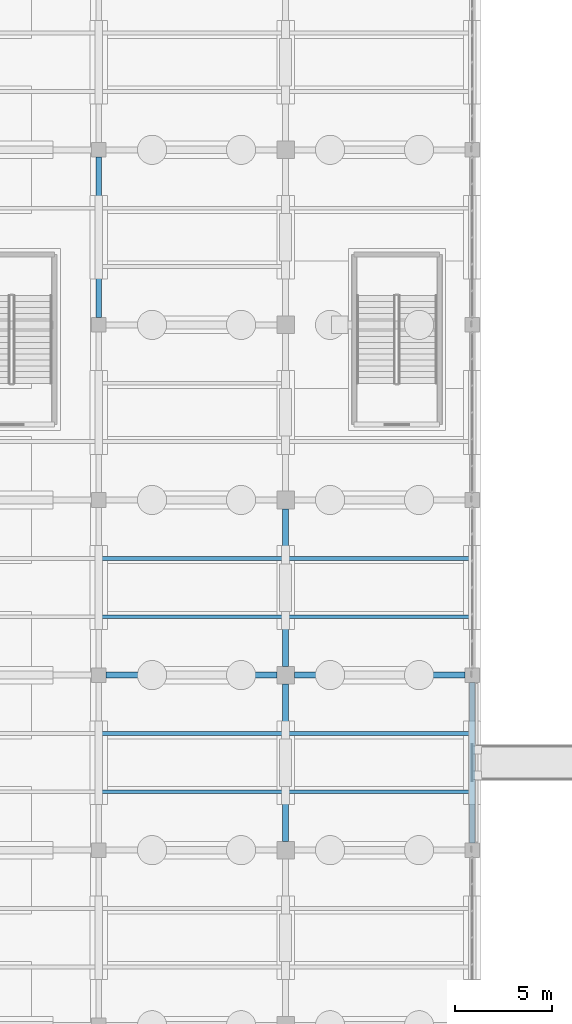
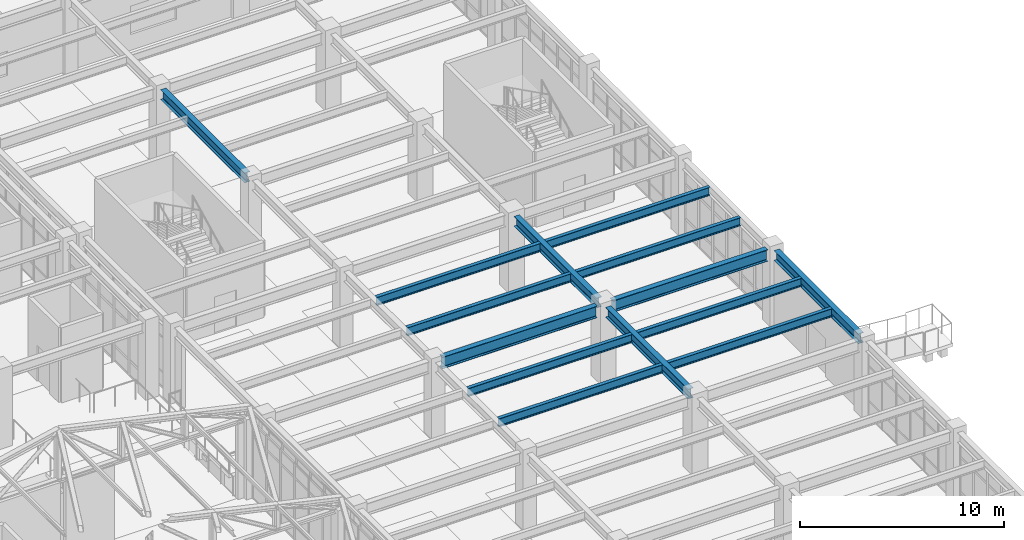
# One storey, part 71 of 139: 14 beams.
"""IFC4 building model written with IfcOpenShell, lengths in metres."""

from ifc_helpers import new_model, si_unit, direction, frame, origin, origin_2d, place, context, subcontext, project, spatial, i_section, extrude, material, material_profile, profile_set, type_object, element, save


model = new_model("IFC4")

# Units and contexts
model_context = context("Model", 3, precision=1e-05, world=origin(), true_north=direction((0.0, 1.0)))
body_context = subcontext(model_context, "Body", "Model", "MODEL_VIEW")
ifc_project = project(units=[si_unit("LENGTHUNIT", "METRE"), si_unit("AREAUNIT", "SQUARE_METRE"), si_unit("VOLUMEUNIT", "CUBIC_METRE"), si_unit("PLANEANGLEUNIT", "RADIAN"), si_unit("MASSUNIT", "GRAM", prefix="KILO")], contexts=[model_context])

# Site, building, storey
site_placement = place(None, origin())
site = spatial("IfcSite", under=ifc_project, at=site_placement, CompositionType="ELEMENT")
building_placement = place(site_placement, origin())
building = spatial("IfcBuilding", under=site, at=building_placement, Name="Canglan Escarpment Cableway Terminal", CompositionType="ELEMENT")
storey_placement = place(building_placement, frame((0.0, 0.0, 14.39990234375)))
storey = spatial("IfcBuildingStorey", under=building, at=storey_placement, Name="L03", CompositionType="ELEMENT", Elevation=14.39990234375)

# Beams
ifc_material_1 = material(Name="Steel Q355C", Category="steel")
ifc_material_profile_1 = material_profile(ifc_material_1, i_section(OverallWidth=0.302001953125, OverallDepth=0.593994140625, WebThickness=0.013916015625, FlangeThickness=0.02294921875, FilletRadius=0.028076171875, at=origin_2d()), Name="HM 594x302x14x23")
ifc_profile_set_1 = profile_set([ifc_material_profile_1], Name="Steel Q355C")
beam_type_1 = type_object("IfcBeamType", Name="BM-HM594", PredefinedType="BEAM", material=ifc_profile_set_1)
beam_1_placement = place(storey_placement, frame((147.199951171875, 97.375, 4.203125), z_axis=(0.0, 1.0, 0.0), x_axis=(-1.0, 0.0, 0.0)))
element("IfcBeam", 1, at=beam_1_placement, inside=storey, type_object=beam_type_1, Name="Primary transverse girder B-07", PredefinedType="BEAM", context=body_context, shape_type="SweptSolid", body=[
    extrude(i_section(OverallWidth=0.302001953125, OverallDepth=0.593994140625, WebThickness=0.013916015625, FlangeThickness=0.02294921875, FilletRadius=0.028076171875, at=origin_2d()), origin(), (0.0, 0.0, 1.0), 8.25),
])
for number, where, z_axis, x_axis, name in (
    (2, (156.800048828125, 70.449951171875, 4.203125), (0.0, 1.0, 0.0), (-1.0, 0.0, 0.0), "Primary transverse girder B-07"),
    (3, (156.800048828125, 79.449951171875, 4.203125), (0.0, 1.0, 0.0), (-1.0, 0.0, 0.0), "Primary transverse girder B-07"),
):
    element("IfcBeam", number, at=place(storey_placement, frame(where, z_axis=z_axis, x_axis=x_axis)), inside=storey, type_object=beam_type_1, Name=name, PredefinedType="BEAM", context=body_context, shape_type="SweptSolid", body=[
        extrude(i_section(OverallWidth=0.302001953125, OverallDepth=0.593994140625, WebThickness=0.013916015625, FlangeThickness=0.02294921875, FilletRadius=0.028076171875, at=origin_2d()), origin(), (0.0, 0.0, 1.0), 8.10009765625),
    ])
beam_2_placement = place(storey_placement, frame((166.39990234375, 70.375, 4.203125), z_axis=(0.0, 1.0, 0.0), x_axis=(-1.0, 0.0, 0.0)))
element("IfcBeam", 4, at=beam_2_placement, inside=storey, type_object=beam_type_1, Name="Primary transverse girder B-07", PredefinedType="BEAM", context=body_context, shape_type="SweptSolid", body=[
    extrude(i_section(OverallWidth=0.302001953125, OverallDepth=0.593994140625, WebThickness=0.013916015625, FlangeThickness=0.02294921875, FilletRadius=0.028076171875, at=origin_2d()), origin(), (0.0, 0.0, 1.0), 8.25),
])
ifc_material_profile_2 = material_profile(ifc_material_1, i_section(OverallWidth=0.300048828125, OverallDepth=0.699951171875, WebThickness=0.012939453125, FlangeThickness=0.02392578125, FilletRadius=0.028076171875, at=origin_2d()), Name="HN 700x300x13x24")
ifc_profile_set_2 = profile_set([ifc_material_profile_2], Name="Steel Q355C")
beam_type_2 = type_object("IfcBeamType", Name="BM-HN700", PredefinedType="BEAM", material=ifc_profile_set_2)
beam_3_placement = place(storey_placement, frame((147.574951171875, 79.0, 4.150146484375), z_axis=(1.0, 0.0, 0.0), x_axis=(0.0, 1.0, 0.0)))
element("IfcBeam", 5, at=beam_3_placement, inside=storey, type_object=beam_type_2, Name="Primary structural girder B-06", PredefinedType="BEAM", context=body_context, shape_type="SweptSolid", body=[
    extrude(i_section(OverallWidth=0.300048828125, OverallDepth=0.699951171875, WebThickness=0.012939453125, FlangeThickness=0.02392578125, FilletRadius=0.028076171875, at=origin_2d()), origin(), (0.0, 0.0, 1.0), 8.775146484375),
])
beam_4_placement = place(storey_placement, frame((157.25, 79.0, 4.150146484375), z_axis=(1.0, 0.0, 0.0), x_axis=(0.0, 1.0, 0.0)))
element("IfcBeam", 6, at=beam_4_placement, inside=storey, type_object=beam_type_2, Name="Primary structural girder B-06", PredefinedType="BEAM", context=body_context, shape_type="SweptSolid", body=[
    extrude(i_section(OverallWidth=0.300048828125, OverallDepth=0.699951171875, WebThickness=0.012939453125, FlangeThickness=0.02392578125, FilletRadius=0.028076171875, at=origin_2d()), origin(), (0.0, 0.0, 1.0), 8.77490234375),
])
ifc_material_2 = material(Name="Steel Q355B", Category="steel")
ifc_material_profile_3 = material_profile(ifc_material_2, i_section(OverallWidth=0.199951171875, OverallDepth=0.5, WebThickness=0.010009765625, FlangeThickness=0.01611328125, FilletRadius=0.02001953125, at=origin_2d()), Name="HN 500x200x10x16")
ifc_profile_set_3 = profile_set([ifc_material_profile_3], Name="Steel Q355B")
beam_type_3 = type_object("IfcBeamType", Name="JS-HN500", PredefinedType="JOIST", material=ifc_profile_set_3)
for number, where, z_axis, x_axis, name in (
    (7, (147.35107421875, 73.0, 4.25), (1.0, 0.0, 0.0), (0.0, 1.0, 0.0), "Secondary composite deck joist J-01"),
    (8, (147.35107421875, 76.0, 4.25), (1.0, 0.0, 0.0), (0.0, 1.0, 0.0), "Secondary composite deck joist J-01"),
    (9, (147.35107421875, 82.0, 4.25), (1.0, 0.0, 0.0), (0.0, 1.0, 0.0), "Secondary composite deck joist J-01"),
    (10, (147.35107421875, 85.0, 4.25), (1.0, 0.0, 0.0), (0.0, 1.0, 0.0), "Secondary composite deck joist J-01"),
):
    element("IfcBeam", number, at=place(storey_placement, frame(where, z_axis=z_axis, x_axis=x_axis)), inside=storey, type_object=beam_type_3, Name=name, PredefinedType="JOIST", context=body_context, shape_type="SweptSolid", body=[
        extrude(i_section(OverallWidth=0.199951171875, OverallDepth=0.5, WebThickness=0.010009765625, FlangeThickness=0.01611328125, FilletRadius=0.02001953125, at=origin_2d()), origin(), (0.0, 0.0, 1.0), 9.2978515625),
    ])
for number, where, z_axis, x_axis, name in (
    (11, (156.950927734375, 73.0, 4.25), (1.0, 0.0, 0.0), (0.0, 1.0, 0.0), "Secondary composite deck joist J-01"),
    (12, (156.950927734375, 76.0, 4.25), (1.0, 0.0, 0.0), (0.0, 1.0, 0.0), "Secondary composite deck joist J-01"),
    (13, (156.950927734375, 82.0, 4.25), (1.0, 0.0, 0.0), (0.0, 1.0, 0.0), "Secondary composite deck joist J-01"),
    (14, (156.950927734375, 85.0, 4.25), (1.0, 0.0, 0.0), (0.0, 1.0, 0.0), "Secondary composite deck joist J-01"),
):
    element("IfcBeam", number, at=place(storey_placement, frame(where, z_axis=z_axis, x_axis=x_axis)), inside=storey, type_object=beam_type_3, Name=name, PredefinedType="JOIST", context=body_context, shape_type="SweptSolid", body=[
        extrude(i_section(OverallWidth=0.199951171875, OverallDepth=0.5, WebThickness=0.010009765625, FlangeThickness=0.01611328125, FilletRadius=0.02001953125, at=origin_2d()), origin(), (0.0, 0.0, 1.0), 9.298095703125),
    ])

save(model, "model.ifc")
